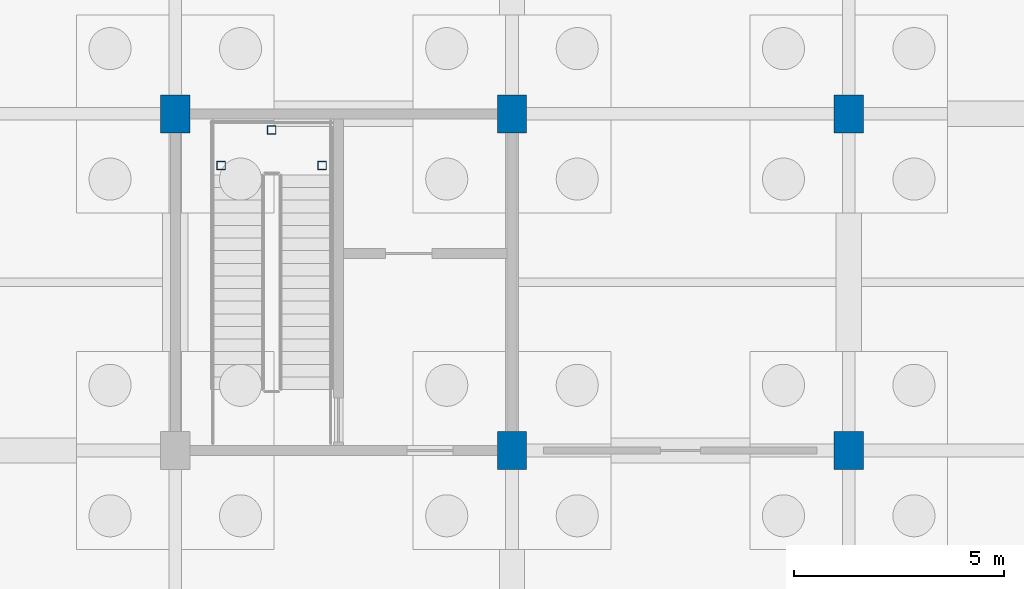
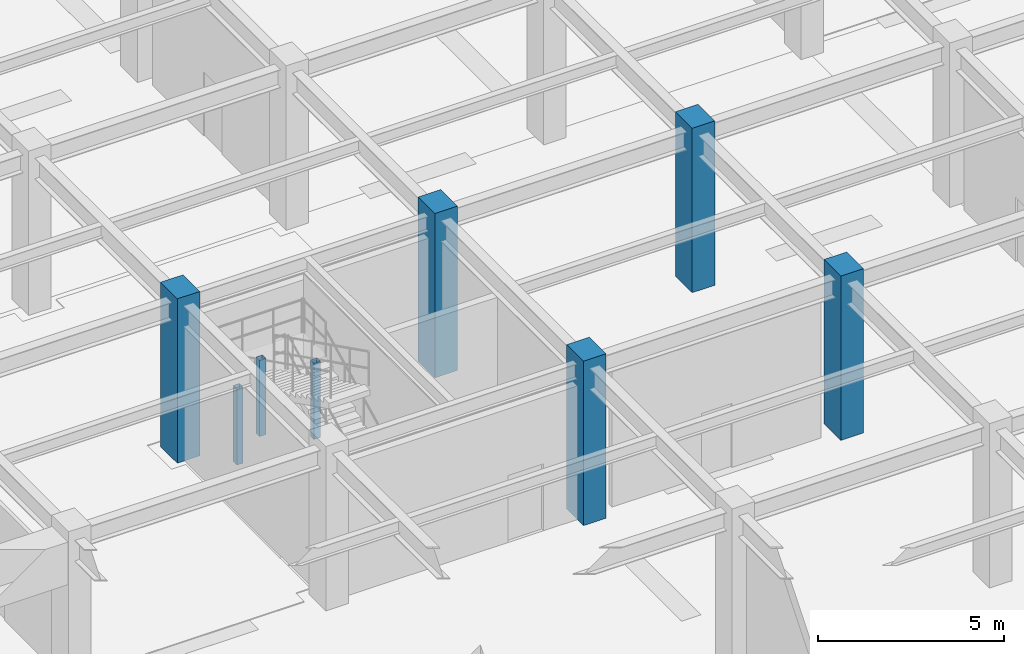
# One storey, part 37 of 97: 8 columns.
"""IFC4 building model written with IfcOpenShell, lengths in metres."""

from ifc_helpers import new_model, si_unit, direction, frame, origin, origin_2d, place, context, subcontext, project, spatial, rectangle, hollow_rectangle, extrude, material, material_profile, profile_set, type_object, element, save


model = new_model("IFC4")

# Units and contexts
model_context = context("Model", 3, precision=1e-05, world=origin(), true_north=direction((0.0, 1.0)))
body_context = subcontext(model_context, "Body", "Model", "MODEL_VIEW")
ifc_project = project(units=[si_unit("LENGTHUNIT", "METRE"), si_unit("AREAUNIT", "SQUARE_METRE"), si_unit("VOLUMEUNIT", "CUBIC_METRE"), si_unit("PLANEANGLEUNIT", "RADIAN"), si_unit("MASSUNIT", "GRAM", prefix="KILO")], contexts=[model_context])

# Site, building, storey
site_placement = place(None, origin())
site = spatial("IfcSite", under=ifc_project, at=site_placement, CompositionType="ELEMENT")
building_placement = place(site_placement, origin())
building = spatial("IfcBuilding", under=site, at=building_placement, Name="Haebicheon Civic Stadium", CompositionType="ELEMENT")
storey_placement = place(building_placement, frame((0.0, 0.0, -5.39990234375)))
storey = spatial("IfcBuildingStorey", under=building, at=storey_placement, Name="B1", CompositionType="ELEMENT", Elevation=-5.39990234375)

# Columns
ifc_material_1 = material(Name="Concrete C40/50", Category="concrete")
ifc_material_profile_1 = material_profile(ifc_material_1, rectangle(XDim=0.699951171875, YDim=0.89990234375, at=origin_2d()), Name="RC-COL-900x700")
ifc_profile_set_1 = profile_set([ifc_material_profile_1], Name="Concrete C40/50")
column_type_1 = type_object("IfcColumnType", Name="COL-RC-900x700", PredefinedType="COLUMN", material=ifc_profile_set_1)
for number, where, z_axis, x_axis, name in (
    (1, (168.0, 24.0, 0.0), (0.0, 0.0, 1.0), (1.0, 0.0, 0.0), "B1 column 22/D"),
    (2, (176.0, 16.0, 0.0), (0.0, 0.0, 1.0), (1.0, 0.0, 0.0), "B1 column 23/C"),
    (3, (176.0, 24.0, 0.0), (0.0, 0.0, 1.0), (1.0, 0.0, 0.0), "B1 column 23/D"),
    (4, (184.0, 16.0, 0.0), (0.0, 0.0, 1.0), (1.0, 0.0, 0.0), "B1 column 24/C"),
    (5, (184.0, 24.0, 0.0), (0.0, 0.0, 1.0), (1.0, 0.0, 0.0), "B1 column 24/D"),
):
    element("IfcColumn", number, at=place(storey_placement, frame(where, z_axis=z_axis, x_axis=x_axis)), inside=storey, type_object=column_type_1, material=ifc_profile_set_1, Name=name, PredefinedType="COLUMN", context=body_context, shape_type="SweptSolid", body=[
        extrude(rectangle(XDim=0.699951171875, YDim=0.89990234375, at=origin_2d()), origin(), (0.0, 0.0, 1.0), 5.39990234375),
    ])
ifc_material_2 = material(Name="Steel SM355 (S355)", Category="steel")
ifc_material_profile_2 = material_profile(ifc_material_2, hollow_rectangle(XDim=0.199951171875, YDim=0.199951171875, WallThickness=0.009033203125, at=origin_2d()), Name="RHS-200x200x9.0")
ifc_profile_set_2 = profile_set([ifc_material_profile_2], Name="Steel SM355 (S355)")
column_type_2 = type_object("IfcColumnType", Name="COL-ST-RHS200", PredefinedType="COLUMN", material=ifc_profile_set_2)
for number, where, z_axis, x_axis, name in (
    (6, (169.090087890625, 22.77001953125, 0.0), (0.0, 0.0, 1.0), (1.0, 0.0, 0.0), "KC-14 B1 stair half-landing support post A"),
    (7, (171.489990234375, 22.77001953125, 0.0), (0.0, 0.0, 1.0), (1.0, 0.0, 0.0), "KC-14 B1 stair half-landing support post B"),
    (8, (170.2900390625, 23.6201171875, 0.0), (0.0, 0.0, 1.0), (1.0, 0.0, 0.0), "KC-14 B1 stair half-landing support post C"),
):
    element("IfcColumn", number, at=place(storey_placement, frame(where, z_axis=z_axis, x_axis=x_axis)), inside=storey, type_object=column_type_2, material=ifc_profile_set_2, Name=name, PredefinedType="COLUMN", context=body_context, shape_type="SweptSolid", body=[
        extrude(hollow_rectangle(XDim=0.199951171875, YDim=0.199951171875, WallThickness=0.009033203125, at=origin_2d()), origin(), (0.0, 0.0, 1.0), 2.5),
    ])

save(model, "model.ifc")
